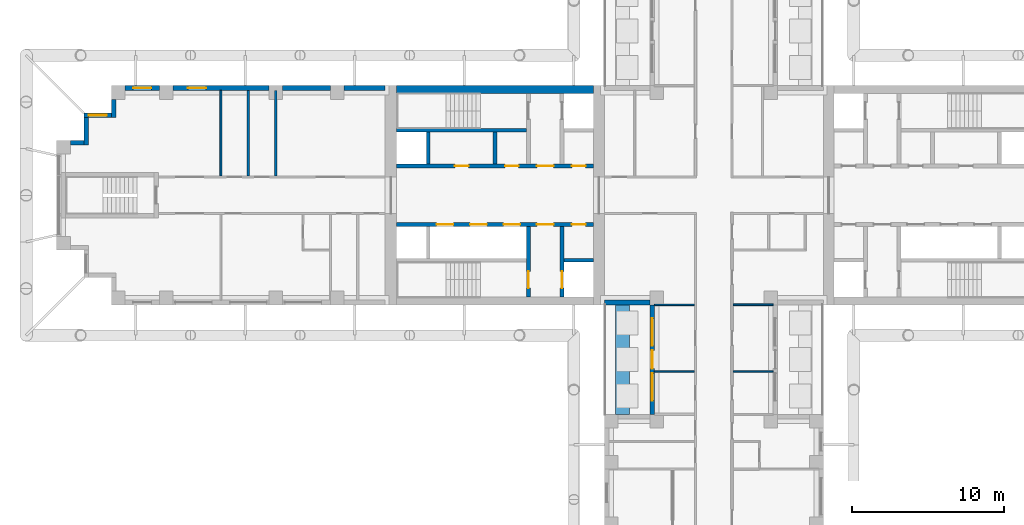
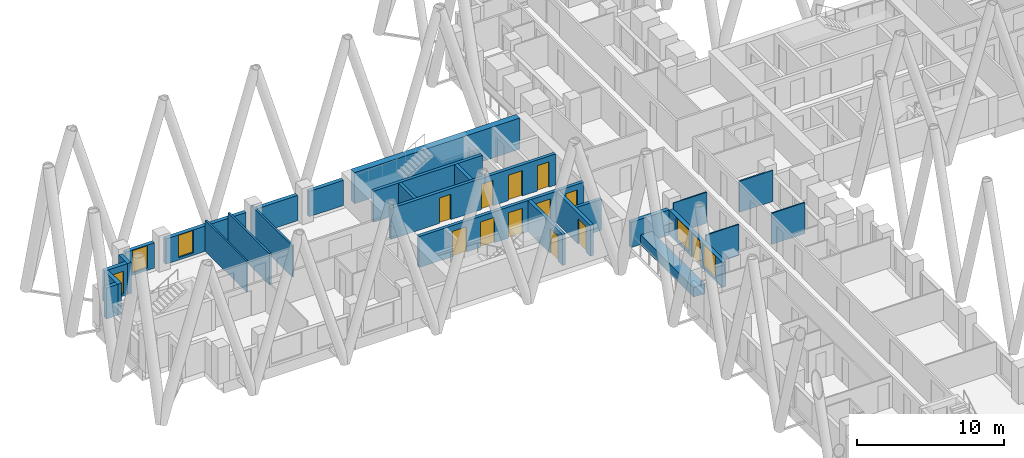
# One storey, part 6 of 14: 27 walls, 12 doors, 5 windows, 17 openings.
"""IFC4 building model written with IfcOpenShell, lengths in metres."""

import ifcopenshell
import ifcopenshell.guid

model = None  # the IFC model being written
_history = None  # IfcOwnerHistory: only IFC2X3 demands one
_inside = {}  # id of a spatial element -> (the spatial element, [elements in it])
_under = {}  # id of a project, library or spatial element -> (it, [spatial elements below it])
_declared = {}  # id of a project -> (the project, [libraries it declares])
_typed = {}  # id of a type object -> (the type object, [elements of that type])
_made_of = {}  # id of a material, layer set ... -> (it, [elements and type objects made of it])


def new_model(schema):
    """Start an empty IFC model of exactly this schema.

    Asked for "IFC4X3", IfcOpenShell would pick the latest addendum, in which some entities
    have other attributes; the version numbers below select the first issue.
    IFC2X3 requires an IfcOwnerHistory on every rooted entity: one is made here for all.
    """
    global model, _history
    if schema == "IFC4X3":
        model = ifcopenshell.file(schema_version=(4, 3, 0, 0))
    else:
        model = ifcopenshell.file(schema=schema)
    _inside.clear()
    _under.clear()
    _declared.clear()
    _typed.clear()
    _made_of.clear()
    _history = None
    if model.schema == "IFC2X3":
        org = make("IfcOrganization", Name="unknown")
        user = make(
            "IfcPersonAndOrganization",
            ThePerson=make("IfcPerson", FamilyName="unknown"),
            TheOrganization=org,
        )
        app = make(
            "IfcApplication",
            ApplicationDeveloper=org,
            Version="unknown",
            ApplicationFullName="unknown",
            ApplicationIdentifier="unknown",
        )
        _history = make(
            "IfcOwnerHistory",
            OwningUser=user,
            OwningApplication=app,
            ChangeAction="ADDED",
            CreationDate=0,
        )
    return model


def make(cls, **values):
    """One entity of the class cls with the attributes given. An attribute that is None is left unset."""
    return model.create_entity(
        cls, **{name: value for name, value in values.items() if value is not None}
    )


def rooted(cls, **values):
    """An entity with a GlobalId (a new one), such as an element, a storey or a relation."""
    return make(cls, GlobalId=ifcopenshell.guid.new(), OwnerHistory=_history, **values)


def si_unit(unit_type, name, prefix=None):
    """IfcSIUnit, for example si_unit("LENGTHUNIT", "METRE", prefix="MILLI")."""
    return make("IfcSIUnit", UnitType=unit_type, Prefix=prefix, Name=name)


def assignment(units):
    """IfcUnitAssignment: the units of a project."""
    return None if units is None else make("IfcUnitAssignment", Units=units)


def point(xyz):
    """IfcCartesianPoint."""
    return None if xyz is None else make("IfcCartesianPoint", Coordinates=xyz)


def direction(xyz):
    """IfcDirection."""
    return None if xyz is None else make("IfcDirection", DirectionRatios=xyz)


def frame(location, z_axis=None, x_axis=None):
    """IfcAxis2Placement3D, a coordinate frame: its origin and axes. An axis left out is left unset."""
    return make(
        "IfcAxis2Placement3D",
        Location=point(location),
        Axis=direction(z_axis),
        RefDirection=direction(x_axis),
    )


def frame_2d(location, x_axis=None):
    """IfcAxis2Placement2D, a coordinate frame in the plane: its origin and x axis."""
    return make(
        "IfcAxis2Placement2D", Location=point(location), RefDirection=direction(x_axis)
    )


def origin():
    """The frame at (0, 0, 0) with its axes left unset."""
    return frame((0.0, 0.0, 0.0))


def place(relative_to, where):
    """IfcLocalPlacement: puts the frame where relative to a parent placement (None: the world)."""
    return make(
        "IfcLocalPlacement", PlacementRelTo=relative_to, RelativePlacement=where
    )


def context(
    kind, dimensions, precision=None, world=None, true_north=None, identifier=None
):
    """IfcGeometricRepresentationContext, for example the 3D "Model" context."""
    return make(
        "IfcGeometricRepresentationContext",
        ContextIdentifier=identifier,
        ContextType=kind,
        CoordinateSpaceDimension=dimensions,
        Precision=precision,
        WorldCoordinateSystem=world,
        TrueNorth=true_north,
    )


def subcontext(parent, identifier, kind, view, scale=None):
    """IfcGeometricRepresentationSubContext, for example "Body" below "Model"."""
    return make(
        "IfcGeometricRepresentationSubContext",
        ContextIdentifier=identifier,
        ContextType=kind,
        ParentContext=parent,
        TargetScale=scale,
        TargetView=view,
    )


def project(units=None, contexts=None):
    """IfcProject with its units and contexts."""
    return rooted(
        "IfcProject",
        Name="project",
        RepresentationContexts=contexts,
        UnitsInContext=assignment(units),
    )


def spatial(cls, under=None, at=None, **own):
    """A site, building, storey or space (cls), placed at a placement, below another one or the project."""
    s = rooted(cls, ObjectPlacement=at, **own)
    if under is not None:
        _under.setdefault(under.id(), (under, []))[1].append(s)
    return s


def profile(cls, at=None, kind="AREA", **sizes):
    """A parametric profile (cls). Its sizes go by their IFC names, for example OverallWidth=200.0."""
    return make(cls, ProfileType=kind, Position=at, **sizes)


def rectangle(**sizes):
    """IfcRectangleProfileDef."""
    return profile("IfcRectangleProfileDef", **sizes)


def extrude(swept, where, along, depth):
    """IfcExtrudedAreaSolid: the profile swept, set in the frame where, extruded along a direction by depth."""
    return make(
        "IfcExtrudedAreaSolid",
        SweptArea=swept,
        Position=where,
        ExtrudedDirection=direction(along),
        Depth=depth,
    )


def shape(context_of_items, identifier, shape_type, items):
    """IfcShapeRepresentation: the items that make up one representation, for example the "Body"."""
    return make(
        "IfcShapeRepresentation",
        ContextOfItems=context_of_items,
        RepresentationIdentifier=identifier,
        RepresentationType=shape_type,
        Items=items,
    )


def material(Name=None, Category=None):
    """IfcMaterial."""
    return make("IfcMaterial", Name=Name, Category=Category)


def layer(
    of_material, thickness, ventilated=None, Name=None, Category=None, Priority=None
):
    """IfcMaterialLayer: one layer of a wall or slab, of a material (None: an air gap)."""
    return make(
        "IfcMaterialLayer",
        Material=of_material,
        LayerThickness=thickness,
        IsVentilated=ventilated,
        Name=Name,
        Category=Category,
        Priority=Priority,
    )


def layer_set(layers, Name=None):
    """IfcMaterialLayerSet."""
    return make("IfcMaterialLayerSet", MaterialLayers=layers, LayerSetName=Name)


def made_of(thing, what):
    """Note that an element or type object is made of a material, layer set ...; save() writes the relation."""
    if what is not None:
        _made_of.setdefault(what.id(), (what, []))[1].append(thing)
    return thing


def type_object(cls, material=None, **own):
    """A type object (cls), such as IfcWallType, which elements share."""
    return made_of(rooted(cls, **own), material)


def element(
    cls,
    number,
    at=None,
    inside=None,
    cuts=None,
    type_object=None,
    material=None,
    context=None,
    identifier="Body",
    shape_type=None,
    held_by="IfcProductDefinitionShape",
    body=None,
    shapes=None,
    **own,
):
    """One element of the class cls, such as IfcWall. Its Tag is "e" and its number.

    at: its placement. inside: the storey or other place that contains it. cuts: it is an
    opening in that element (IfcRelVoidsElement). A single representation is given by context,
    identifier, shape_type and body (its items); several are given by shapes. held_by: the class
    of the entity that holds the representations. save() writes the other relations.
    """
    e = rooted(cls, Tag="e%d" % number, ObjectPlacement=at, **own)
    if body is not None:
        shapes = [shape(context, identifier, shape_type, body)]
    if shapes is not None:
        e.Representation = make(held_by, Representations=shapes)
    if inside is not None:
        _inside.setdefault(inside.id(), (inside, []))[1].append(e)
    if cuts is not None:
        rooted(
            "IfcRelVoidsElement", RelatingBuildingElement=cuts, RelatedOpeningElement=e
        )
    if type_object is not None:
        _typed.setdefault(type_object.id(), (type_object, []))[1].append(e)
    return made_of(e, material)


def fill(opening, filler):
    """IfcRelFillsElement: the door or window that sits in an opening."""
    return rooted(
        "IfcRelFillsElement",
        RelatingOpeningElement=opening,
        RelatedBuildingElement=filler,
    )


def aggregate(whole, parts):
    """IfcRelAggregates: a whole, such as a stair, and the parts it consists of."""
    return rooted("IfcRelAggregates", RelatingObject=whole, RelatedObjects=parts)


def save(model, path):
    """Write the relations noted so far, then the file.

    IfcRelAggregates (storeys below a building ...), IfcRelContainedInSpatialStructure (elements
    in a storey), IfcRelDefinesByType, IfcRelAssociatesMaterial and IfcRelDeclares: one each for
    every whole, place, type object, material and project.
    """
    for whole, parts in _under.values():
        aggregate(whole, parts)
    for where, things in _inside.values():
        rooted(
            "IfcRelContainedInSpatialStructure",
            RelatedElements=things,
            RelatingStructure=where,
        )
    for kind, things in _typed.values():
        rooted("IfcRelDefinesByType", RelatedObjects=things, RelatingType=kind)
    for what, things in _made_of.values():
        rooted("IfcRelAssociatesMaterial", RelatedObjects=things, RelatingMaterial=what)
    for by, libraries in _declared.values():
        rooted("IfcRelDeclares", RelatingContext=by, RelatedDefinitions=libraries)
    model.write(path)


model = new_model("IFC4")

# Units and contexts
model_context = context("Model", 3, precision=1e-05, world=origin(), true_north=direction((0.0, 1.0)))
body_context = subcontext(model_context, "Body", "Model", "MODEL_VIEW")
ifc_project = project(units=[si_unit("LENGTHUNIT", "METRE"), si_unit("AREAUNIT", "SQUARE_METRE"), si_unit("VOLUMEUNIT", "CUBIC_METRE"), si_unit("PLANEANGLEUNIT", "RADIAN"), si_unit("MASSUNIT", "GRAM", prefix="KILO")], contexts=[model_context])

# Site, building, storey
site_placement = place(None, origin())
site = spatial("IfcSite", under=ifc_project, at=site_placement, CompositionType="ELEMENT")
building_placement = place(site_placement, origin())
building = spatial("IfcBuilding", under=site, at=building_placement, Name="Fustian Cross Tower", CompositionType="ELEMENT")
storey_placement = place(building_placement, frame((0.0, 0.0, 78.89990234375)))
storey = spatial("IfcBuildingStorey", under=building, at=storey_placement, Name="L24", CompositionType="ELEMENT", Elevation=78.89990234375)

# Walls
ifc_material_1 = material(Name="Plasterboard on steel stud", Category="steel")
ifc_layer_1 = layer(ifc_material_1, 0.14990234375)
ifc_layer_set_1 = layer_set([ifc_layer_1], Name="Plasterboard on steel stud")
wall_type_1 = type_object("IfcWallType", Name="COMPARTMENT WALL 150 EI 60", PredefinedType="PARTITIONING", material=ifc_layer_set_1)
for number, where, z_axis, x_axis, name in (
    (1, (-30.60009765625, 1.27490234375, 0.0), (0.0, 0.0, 1.0), (0.0, 1.0, 0.0), "Partition 5"),
    (2, (-28.800048828125, 1.27490234375, 0.0), (0.0, 0.0, 1.0), (0.0, 1.0, 0.0), "Partition 6"),
):
    element("IfcWall", number, at=place(storey_placement, frame(where, z_axis=z_axis, x_axis=x_axis)), inside=storey, type_object=wall_type_1, Name=name, PredefinedType="PARTITIONING", context=body_context, shape_type="SweptSolid", body=[
        extrude(rectangle(XDim=5.625, YDim=0.14990234375, at=frame_2d((2.8125, 0.0))), origin(), (0.0, 0.0, 1.0), 2.5751953125),
    ])
ifc_material_2 = material(Name="Concrete C70/85", Category="concrete")
ifc_layer_2 = layer(ifc_material_2, 0.5)
ifc_layer_set_2 = layer_set([ifc_layer_2], Name="Concrete C70/85")
wall_type_2 = type_object("IfcWallType", Name="CORE FACADE WALL 500 C70/85", PredefinedType="SHEAR", material=ifc_layer_set_2)
wall_1_placement = place(storey_placement, frame((-7.89990234375, 6.949951171875, 0.0), z_axis=(0.0, 0.0, 1.0), x_axis=(-1.0, 0.0, 0.0)))
element("IfcWall", 3, at=wall_1_placement, inside=storey, type_object=wall_type_2, Name="Core facade wall", PredefinedType="SHEAR", context=body_context, shape_type="SweptSolid", body=[
    extrude(rectangle(XDim=12.9501953125, YDim=0.5, at=frame_2d((6.47509765625, 0.0))), origin(), (0.0, 0.0, 1.0), 2.5751953125),
])

# Wall, openings, doors
ifc_material_3 = material(Name="Concrete C50/60", Category="concrete")
ifc_layer_3 = layer(ifc_material_3, 0.25)
ifc_layer_set_3 = layer_set([ifc_layer_3], Name="Concrete C50/60")
wall_type_3 = type_object("IfcWallType", Name="CORE LOBBY WALL 250 C50/60", PredefinedType="SHEAR", material=ifc_layer_set_3)
wall_2_placement = place(storey_placement, frame((-7.89990234375, 1.925048828125, 0.0), z_axis=(0.0, 0.0, 1.0), x_axis=(-1.0, 0.0, 0.0)))
wall_2 = element("IfcWall", 4, at=wall_2_placement, inside=storey, type_object=wall_type_3, Name="Core lobby wall", PredefinedType="SHEAR", context=body_context, shape_type="SweptSolid", body=[
    extrude(rectangle(XDim=12.9501953125, YDim=0.25, at=frame_2d((6.47509765625, 0.0))), origin(), (0.0, 0.0, 1.0), 2.5751953125),
])
opening_1_placement = place(wall_2_placement, frame((0.52490234375, 0.0, 0.0)))
opening_1 = element("IfcOpeningElement", 5, at=opening_1_placement, cuts=wall_2, Name="Opening CD-10-23", PredefinedType="OPENING", context=body_context, shape_type="SweptSolid", body=[
    extrude(rectangle(XDim=0.89990234375, YDim=2.10009765625, at=frame_2d((0.449951171875, 1.050048828125))), frame((0.0, 0.135009765625, 0.0), z_axis=(0.0, -1.0, 0.0), x_axis=(1.0, 0.0, 0.0)), (0.0, 0.0, 1.0), 0.27001953125),
])
opening_2_placement = place(wall_2_placement, frame((2.625, 0.0, 0.0)))
opening_2 = element("IfcOpeningElement", 6, at=opening_2_placement, cuts=wall_2, Name="Opening CD-10-25", PredefinedType="OPENING", context=body_context, shape_type="SweptSolid", body=[
    extrude(rectangle(XDim=1.10009765625, YDim=2.10009765625, at=frame_2d((0.550048828125, 1.050048828125))), frame((0.0, 0.135009765625, 0.0), z_axis=(0.0, -1.0, 0.0), x_axis=(1.0, 0.0, 0.0)), (0.0, 0.0, 1.0), 0.27001953125),
])
opening_3_placement = place(wall_2_placement, frame((4.925048828125, 0.0, 0.0)))
opening_3 = element("IfcOpeningElement", 7, at=opening_3_placement, cuts=wall_2, Name="Opening CD-10-29", PredefinedType="OPENING", context=body_context, shape_type="SweptSolid", body=[
    extrude(rectangle(XDim=0.89990234375, YDim=2.10009765625, at=frame_2d((0.449951171875, 1.050048828125))), frame((0.0, 0.135009765625, 0.0), z_axis=(0.0, -1.0, 0.0), x_axis=(1.0, 0.0, 0.0)), (0.0, 0.0, 1.0), 0.27001953125),
])
opening_4_placement = place(wall_2_placement, frame((8.22509765625, 0.0, 0.0)))
opening_4 = element("IfcOpeningElement", 8, at=opening_4_placement, cuts=wall_2, Name="Opening CD-10-30", PredefinedType="OPENING", context=body_context, shape_type="SweptSolid", body=[
    extrude(rectangle(XDim=0.89990234375, YDim=2.10009765625, at=frame_2d((0.449951171875, 1.050048828125))), frame((0.0, 0.135009765625, 0.0), z_axis=(0.0, -1.0, 0.0), x_axis=(1.0, 0.0, 0.0)), (0.0, 0.0, 1.0), 0.27001953125),
])
ifc_material_4 = material(Name="Steel", Category="steel")
door_type_1 = type_object("IfcDoorType", Name="FIRE DOOR FD30S 900X2100", OperationType="SINGLE_SWING_LEFT", PredefinedType="DOOR", material=ifc_material_4)
door_1_placement = place(opening_3_placement, frame((0.89990234375, 0.0, 0.0), z_axis=(0.0, 0.0, 1.0), x_axis=(-1.0, 0.0, 0.0)))
door_1 = element("IfcDoor", 9, at=door_1_placement, inside=storey, type_object=door_type_1, Name="Core door CD-10-29", OperationType="SINGLE_SWING_RIGHT", OverallHeight=2.10009765625, OverallWidth=0.89990234375, PredefinedType="DOOR", context=body_context, shape_type="SweptSolid", body=[
    extrude(rectangle(XDim=0.89990234375, YDim=2.10009765625, at=frame_2d((0.449951171875, 1.050048828125))), frame((0.0, 0.02490234375, 0.0), z_axis=(0.0, -1.0, 0.0), x_axis=(1.0, 0.0, 0.0)), (0.0, 0.0, 1.0), 0.050048828125),
])
fill(opening_3, door_1)
door_2_placement = place(opening_4_placement, frame((0.89990234375, 0.0, 0.0), z_axis=(0.0, 0.0, 1.0), x_axis=(-1.0, 0.0, 0.0)))
door_2 = element("IfcDoor", 10, at=door_2_placement, inside=storey, type_object=door_type_1, Name="Core door CD-10-30", OperationType="SINGLE_SWING_LEFT", OverallHeight=2.10009765625, OverallWidth=0.89990234375, PredefinedType="DOOR", context=body_context, shape_type="SweptSolid", body=[
    extrude(rectangle(XDim=0.89990234375, YDim=2.10009765625, at=frame_2d((0.449951171875, 1.050048828125))), frame((0.0, 0.02490234375, 0.0), z_axis=(0.0, -1.0, 0.0), x_axis=(1.0, 0.0, 0.0)), (0.0, 0.0, 1.0), 0.050048828125),
])
fill(opening_4, door_2)
ifc_material_5 = material(Name="Steel", Category="steel")
door_type_2 = type_object("IfcDoorType", Name="FIRE DOOR FD60S 1100X2100", OperationType="SINGLE_SWING_LEFT", PredefinedType="DOOR", material=ifc_material_5)
door_3_placement = place(opening_2_placement, frame((1.10009765625, 0.0, 0.0), z_axis=(0.0, 0.0, 1.0), x_axis=(-1.0, 0.0, 0.0)))
door_3 = element("IfcDoor", 11, at=door_3_placement, inside=storey, type_object=door_type_2, Name="Core door CD-10-25", OperationType="SINGLE_SWING_RIGHT", OverallHeight=2.10009765625, OverallWidth=1.10009765625, PredefinedType="DOOR", context=body_context, shape_type="SweptSolid", body=[
    extrude(rectangle(XDim=1.10009765625, YDim=2.10009765625, at=frame_2d((0.550048828125, 1.050048828125))), frame((0.0, 0.02490234375, 0.0), z_axis=(0.0, -1.0, 0.0), x_axis=(1.0, 0.0, 0.0)), (0.0, 0.0, 1.0), 0.050048828125),
])
fill(opening_2, door_3)
ifc_material_6 = material(Name="Steel", Category="steel")
door_type_3 = type_object("IfcDoorType", Name="FIRE DOOR FD60S 900X2100", OperationType="SINGLE_SWING_LEFT", PredefinedType="DOOR", material=ifc_material_6)
door_4_placement = place(opening_1_placement, frame((0.89990234375, 0.0, 0.0), z_axis=(0.0, 0.0, 1.0), x_axis=(-1.0, 0.0, 0.0)))
door_4 = element("IfcDoor", 12, at=door_4_placement, inside=storey, type_object=door_type_3, Name="Core door CD-10-23", OperationType="SINGLE_SWING_RIGHT", OverallHeight=2.10009765625, OverallWidth=0.89990234375, PredefinedType="DOOR", context=body_context, shape_type="SweptSolid", body=[
    extrude(rectangle(XDim=0.89990234375, YDim=2.10009765625, at=frame_2d((0.449951171875, 1.050048828125))), frame((0.0, 0.02490234375, 0.0), z_axis=(0.0, -1.0, 0.0), x_axis=(1.0, 0.0, 0.0)), (0.0, 0.0, 1.0), 0.050048828125),
])
fill(opening_1, door_4)

wall_3_placement = place(storey_placement, frame((-7.89990234375, -1.925048828125, 0.0), z_axis=(0.0, 0.0, 1.0), x_axis=(-1.0, 0.0, 0.0)))
wall_3 = element("IfcWall", 13, at=wall_3_placement, inside=storey, type_object=wall_type_3, Name="Core lobby wall", PredefinedType="SHEAR", context=body_context, shape_type="SweptSolid", body=[
    extrude(rectangle(XDim=12.9501953125, YDim=0.25, at=frame_2d((6.47509765625, 0.0))), origin(), (0.0, 0.0, 1.0), 2.5751953125),
])
opening_5_placement = place(wall_3_placement, frame((4.824951171875, 0.0, 0.0)))
opening_5 = element("IfcOpeningElement", 14, at=opening_5_placement, cuts=wall_3, Name="Opening LD", PredefinedType="OPENING", context=body_context, shape_type="SweptSolid", body=[
    extrude(rectangle(XDim=1.10009765625, YDim=2.10009765625, at=frame_2d((0.550048828125, 1.050048828125))), frame((0.0, 0.135009765625, 0.0), z_axis=(0.0, -1.0, 0.0), x_axis=(1.0, 0.0, 0.0)), (0.0, 0.0, 1.0), 0.27001953125),
])
opening_6_placement = place(wall_3_placement, frame((7.02490234375, 0.0, 0.0)))
opening_6 = element("IfcOpeningElement", 15, at=opening_6_placement, cuts=wall_3, Name="Opening LD", PredefinedType="OPENING", context=body_context, shape_type="SweptSolid", body=[
    extrude(rectangle(XDim=1.10009765625, YDim=2.10009765625, at=frame_2d((0.550048828125, 1.050048828125))), frame((0.0, 0.135009765625, 0.0), z_axis=(0.0, -1.0, 0.0), x_axis=(1.0, 0.0, 0.0)), (0.0, 0.0, 1.0), 0.27001953125),
])
opening_7_placement = place(wall_3_placement, frame((9.22509765625, 0.0, 0.0)))
opening_7 = element("IfcOpeningElement", 16, at=opening_7_placement, cuts=wall_3, Name="Opening LD", PredefinedType="OPENING", context=body_context, shape_type="SweptSolid", body=[
    extrude(rectangle(XDim=1.10009765625, YDim=2.10009765625, at=frame_2d((0.550048828125, 1.050048828125))), frame((0.0, 0.135009765625, 0.0), z_axis=(0.0, -1.0, 0.0), x_axis=(1.0, 0.0, 0.0)), (0.0, 0.0, 1.0), 0.27001953125),
])
opening_8_placement = place(wall_3_placement, frame((0.52490234375, 0.0, 0.0)))
opening_8 = element("IfcOpeningElement", 17, at=opening_8_placement, cuts=wall_3, Name="Opening CD-10-24", PredefinedType="OPENING", context=body_context, shape_type="SweptSolid", body=[
    extrude(rectangle(XDim=0.89990234375, YDim=2.10009765625, at=frame_2d((0.449951171875, 1.050048828125))), frame((0.0, 0.135009765625, 0.0), z_axis=(0.0, -1.0, 0.0), x_axis=(1.0, 0.0, 0.0)), (0.0, 0.0, 1.0), 0.27001953125),
])
opening_9_placement = place(wall_3_placement, frame((2.625, 0.0, 0.0)))
opening_9 = element("IfcOpeningElement", 18, at=opening_9_placement, cuts=wall_3, Name="Opening CD-10-26", PredefinedType="OPENING", context=body_context, shape_type="SweptSolid", body=[
    extrude(rectangle(XDim=1.10009765625, YDim=2.10009765625, at=frame_2d((0.550048828125, 1.050048828125))), frame((0.0, 0.135009765625, 0.0), z_axis=(0.0, -1.0, 0.0), x_axis=(1.0, 0.0, 0.0)), (0.0, 0.0, 1.0), 0.27001953125),
])
ifc_material_7 = material(Name="Steel", Category="steel")
door_type_4 = type_object("IfcDoorType", Name="FIRE DOOR FD30S 1100X2100", OperationType="SINGLE_SWING_LEFT", PredefinedType="DOOR", material=ifc_material_7)
door_5_placement = place(opening_9_placement, frame((1.10009765625, 0.0, 0.0), z_axis=(0.0, 0.0, 1.0), x_axis=(-1.0, 0.0, 0.0)))
door_5 = element("IfcDoor", 19, at=door_5_placement, inside=storey, type_object=door_type_4, Name="Core door CD-10-26", OperationType="SINGLE_SWING_RIGHT", OverallHeight=2.10009765625, OverallWidth=1.10009765625, PredefinedType="DOOR", context=body_context, shape_type="SweptSolid", body=[
    extrude(rectangle(XDim=1.10009765625, YDim=2.10009765625, at=frame_2d((0.550048828125, 1.050048828125))), frame((0.0, 0.02490234375, 0.0), z_axis=(0.0, -1.0, 0.0), x_axis=(1.0, 0.0, 0.0)), (0.0, 0.0, 1.0), 0.050048828125),
])
fill(opening_9, door_5)
door_6_placement = place(opening_8_placement, origin())
door_6 = element("IfcDoor", 20, at=door_6_placement, inside=storey, type_object=door_type_1, Name="Core door CD-10-24", OperationType="SINGLE_SWING_LEFT", OverallHeight=2.10009765625, OverallWidth=0.89990234375, PredefinedType="DOOR", context=body_context, shape_type="SweptSolid", body=[
    extrude(rectangle(XDim=0.89990234375, YDim=2.10009765625, at=frame_2d((0.449951171875, 1.050048828125))), frame((0.0, 0.02490234375, 0.0), z_axis=(0.0, -1.0, 0.0), x_axis=(1.0, 0.0, 0.0)), (0.0, 0.0, 1.0), 0.050048828125),
])
fill(opening_8, door_6)
ifc_material_8 = material(Name="Stainless steel", Category="steel")
door_type_5 = type_object("IfcDoorType", Name="LIFT LANDING DOOR 1100X2100", OperationType="SLIDING_TO_LEFT", PredefinedType="DOOR", material=ifc_material_8)
door_7_placement = place(opening_5_placement, origin())
door_7 = element("IfcDoor", 21, at=door_7_placement, inside=storey, type_object=door_type_5, Name="Landing door LR1W", OperationType="SLIDING_TO_LEFT", OverallHeight=2.10009765625, OverallWidth=1.10009765625, PredefinedType="DOOR", context=body_context, shape_type="SweptSolid", body=[
    extrude(rectangle(XDim=1.10009765625, YDim=2.10009765625, at=frame_2d((0.550048828125, 1.050048828125))), frame((0.0, 0.02490234375, 0.0), z_axis=(0.0, -1.0, 0.0), x_axis=(1.0, 0.0, 0.0)), (0.0, 0.0, 1.0), 0.050048828125),
])
fill(opening_5, door_7)
door_8_placement = place(opening_6_placement, origin())
door_8 = element("IfcDoor", 22, at=door_8_placement, inside=storey, type_object=door_type_5, Name="Landing door LR2W", OperationType="SLIDING_TO_LEFT", OverallHeight=2.10009765625, OverallWidth=1.10009765625, PredefinedType="DOOR", context=body_context, shape_type="SweptSolid", body=[
    extrude(rectangle(XDim=1.10009765625, YDim=2.10009765625, at=frame_2d((0.550048828125, 1.050048828125))), frame((0.0, 0.02490234375, 0.0), z_axis=(0.0, -1.0, 0.0), x_axis=(1.0, 0.0, 0.0)), (0.0, 0.0, 1.0), 0.050048828125),
])
fill(opening_6, door_8)
door_9_placement = place(opening_7_placement, origin())
door_9 = element("IfcDoor", 23, at=door_9_placement, inside=storey, type_object=door_type_5, Name="Landing door LR3W", OperationType="SLIDING_TO_LEFT", OverallHeight=2.10009765625, OverallWidth=1.10009765625, PredefinedType="DOOR", context=body_context, shape_type="SweptSolid", body=[
    extrude(rectangle(XDim=1.10009765625, YDim=2.10009765625, at=frame_2d((0.550048828125, 1.050048828125))), frame((0.0, 0.02490234375, 0.0), z_axis=(0.0, -1.0, 0.0), x_axis=(1.0, 0.0, 0.0)), (0.0, 0.0, 1.0), 0.050048828125),
])
fill(opening_7, door_9)

# Walls
ifc_material_9 = material(Name="Concrete C50/60", Category="concrete")
ifc_layer_4 = layer(ifc_material_9, 0.25)
ifc_layer_set_4 = layer_set([ifc_layer_4], Name="Concrete C50/60")
wall_type_4 = type_object("IfcWallType", Name="CORE SHAFT WALL 250 C50/60", PredefinedType="SHEAR", material=ifc_layer_set_4)
wall_4_placement = place(storey_placement, frame((-12.300048828125, 4.27490234375, 0.0), z_axis=(0.0, 0.0, 1.0), x_axis=(-1.0, 0.0, 0.0)))
element("IfcWall", 24, at=wall_4_placement, inside=storey, type_object=wall_type_4, Name="Core shaft wall", PredefinedType="SHEAR", context=body_context, shape_type="SweptSolid", body=[
    extrude(rectangle(XDim=8.550048828125, YDim=0.25, at=frame_2d((4.27490234375, 0.0))), origin(), (0.0, 0.0, 1.0), 2.5751953125),
])
wall_5_placement = place(storey_placement, frame((-7.89990234375, -4.27490234375, 0.0), z_axis=(0.0, 0.0, 1.0), x_axis=(-1.0, 0.0, 0.0)))
element("IfcWall", 25, at=wall_5_placement, inside=storey, type_object=wall_type_4, Name="Core shaft wall", PredefinedType="SHEAR", context=body_context, shape_type="SweptSolid", body=[
    extrude(rectangle(XDim=1.9501953125, YDim=0.25, at=frame_2d((0.97509765625, 0.0))), origin(), (0.0, 0.0, 1.0), 2.5751953125),
])

# Wall, opening, door
wall_6_placement = place(storey_placement, frame((-9.97509765625, -2.050048828125, 0.0), z_axis=(0.0, 0.0, 1.0), x_axis=(0.0, -1.0, 0.0)))
wall_6 = element("IfcWall", 26, at=wall_6_placement, inside=storey, type_object=wall_type_4, Name="Core shaft wall", PredefinedType="SHEAR", context=body_context, shape_type="SweptSolid", body=[
    extrude(rectangle(XDim=4.64990234375, YDim=0.25, at=frame_2d((2.324951171875, 0.0))), origin(), (0.0, 0.0, 1.0), 2.5751953125),
])
opening_10_placement = place(wall_6_placement, frame((2.949951171875, 0.0, 0.0)))
opening_10 = element("IfcOpeningElement", 27, at=opening_10_placement, cuts=wall_6, Name="Opening LD", PredefinedType="OPENING", context=body_context, shape_type="SweptSolid", body=[
    extrude(rectangle(XDim=1.10009765625, YDim=2.10009765625, at=frame_2d((0.550048828125, 1.050048828125))), frame((0.0, 0.135009765625, 0.0), z_axis=(0.0, -1.0, 0.0), x_axis=(1.0, 0.0, 0.0)), (0.0, 0.0, 1.0), 0.27001953125),
])
door_10_placement = place(opening_10_placement, origin())
door_10 = element("IfcDoor", 28, at=door_10_placement, inside=storey, type_object=door_type_5, Name="Landing door SV1W", OperationType="SLIDING_TO_LEFT", OverallHeight=2.10009765625, OverallWidth=1.10009765625, PredefinedType="DOOR", context=body_context, shape_type="SweptSolid", body=[
    extrude(rectangle(XDim=1.10009765625, YDim=2.10009765625, at=frame_2d((0.550048828125, 1.050048828125))), frame((0.0, 0.02490234375, 0.0), z_axis=(0.0, -1.0, 0.0), x_axis=(1.0, 0.0, 0.0)), (0.0, 0.0, 1.0), 0.050048828125),
])
fill(opening_10, door_10)

wall_7_placement = place(storey_placement, frame((-12.175048828125, -2.050048828125, 0.0), z_axis=(0.0, 0.0, 1.0), x_axis=(0.0, -1.0, 0.0)))
wall_7 = element("IfcWall", 29, at=wall_7_placement, inside=storey, type_object=wall_type_4, Name="Core shaft wall", PredefinedType="SHEAR", context=body_context, shape_type="SweptSolid", body=[
    extrude(rectangle(XDim=4.64990234375, YDim=0.25, at=frame_2d((2.324951171875, 0.0))), origin(), (0.0, 0.0, 1.0), 2.5751953125),
])
opening_11_placement = place(wall_7_placement, frame((2.949951171875, 0.0, 0.0)))
opening_11 = element("IfcOpeningElement", 30, at=opening_11_placement, cuts=wall_7, Name="Opening CD-10-22", PredefinedType="OPENING", context=body_context, shape_type="SweptSolid", body=[
    extrude(rectangle(XDim=1.10009765625, YDim=2.10009765625, at=frame_2d((0.550048828125, 1.050048828125))), frame((0.0, 0.135009765625, 0.0), z_axis=(0.0, -1.0, 0.0), x_axis=(1.0, 0.0, 0.0)), (0.0, 0.0, 1.0), 0.27001953125),
])
door_11_placement = place(opening_11_placement, frame((1.10009765625, 0.0, 0.0), z_axis=(0.0, 0.0, 1.0), x_axis=(-1.0, 0.0, 0.0)))
door_11 = element("IfcDoor", 31, at=door_11_placement, inside=storey, type_object=door_type_2, Name="Core door CD-10-22", OperationType="SINGLE_SWING_RIGHT", OverallHeight=2.10009765625, OverallWidth=1.10009765625, PredefinedType="DOOR", context=body_context, shape_type="SweptSolid", body=[
    extrude(rectangle(XDim=1.10009765625, YDim=2.10009765625, at=frame_2d((0.550048828125, 1.050048828125))), frame((0.0, 0.02490234375, 0.0), z_axis=(0.0, -1.0, 0.0), x_axis=(1.0, 0.0, 0.0)), (0.0, 0.0, 1.0), 0.050048828125),
])
fill(opening_11, door_11)

# Walls
ifc_material_10 = material(Name="Plasterboard on steel stud", Category="steel")
ifc_layer_5 = layer(ifc_material_10, 0.10009765625)
ifc_layer_set_5 = layer_set([ifc_layer_5], Name="Plasterboard on steel stud")
wall_type_5 = type_object("IfcWallType", Name="PARTITION 100 STUD", PredefinedType="PARTITIONING", material=ifc_layer_set_5)
for number, where, z_axis, x_axis, name in (
    (32, (-3.89990234375, -11.60009765625, 0.0), (0.0, 0.0, 1.0), (1.0, 0.0, 0.0), "Partition 26"),
    (33, (-3.89990234375, -7.199951171875, 0.0), (0.0, 0.0, 1.0), (1.0, 0.0, 0.0), "Partition 27"),
    (34, (1.27490234375, -11.60009765625, 0.0), (0.0, 0.0, 1.0), (1.0, 0.0, 0.0), "Partition 42"),
):
    element("IfcWall", number, at=place(storey_placement, frame(where, z_axis=z_axis, x_axis=x_axis)), inside=storey, type_object=wall_type_5, Name=name, PredefinedType="PARTITIONING", context=body_context, shape_type="SweptSolid", body=[
        extrude(rectangle(XDim=2.625, YDim=0.10009765625, at=frame_2d((1.3125, 0.0))), origin(), (0.0, 0.0, 1.0), 2.5751953125),
    ])
ifc_material_11 = material(Name="Concrete C40/50", Category="concrete")
ifc_layer_6 = layer(ifc_material_11, 0.89990234375)
ifc_layer_set_6 = layer_set([ifc_layer_6], Name="Concrete C40/50")
wall_type_6 = type_object("IfcWallType", Name="PK1 PLANTER 900", PredefinedType="PARAPET", material=ifc_layer_set_6)
wall_8_placement = place(storey_placement, frame((-6.0, -14.39990234375, 0.0), z_axis=(0.0, 0.0, 1.0), x_axis=(0.0, 1.0, 0.0)))
element("IfcWall", 35, at=wall_8_placement, inside=storey, type_object=wall_type_6, Name="PLANTER", PredefinedType="PARAPET", context=body_context, shape_type="SweptSolid", body=[
    extrude(rectangle(XDim=7.199951171875, YDim=0.89990234375, at=frame_2d((3.60009765625, 0.0))), origin(), (0.0, 0.0, 1.0), 0.800048828125),
])
ifc_material_12 = material(Name="Concrete C40/50", Category="concrete")
ifc_layer_7 = layer(ifc_material_12, 0.25)
ifc_layer_set_7 = layer_set([ifc_layer_7], Name="Concrete C40/50")
wall_type_7 = type_object("IfcWallType", Name="SHAFT PARTITION WALL 250 C40/50", PredefinedType="PARTITIONING", material=ifc_layer_set_7)
for number, where, z_axis, x_axis, name in (
    (36, (-14.375, 2.050048828125, 0.0), (0.0, 0.0, 1.0), (0.0, 1.0, 0.0), "Core shaft wall"),
    (37, (-18.77490234375, 2.050048828125, 0.0), (0.0, 0.0, 1.0), (0.0, 1.0, 0.0), "Core shaft wall"),
):
    element("IfcWall", number, at=place(storey_placement, frame(where, z_axis=z_axis, x_axis=x_axis)), inside=storey, type_object=wall_type_7, Name=name, PredefinedType="PARTITIONING", context=body_context, shape_type="SweptSolid", body=[
        extrude(rectangle(XDim=2.099853515625, YDim=0.25, at=frame_2d((1.0498046875, 0.0))), origin(), (0.0, 0.0, 1.0), 2.5751953125),
    ])
ifc_material_13 = material(Name="Plasterboard on steel stud", Category="steel")
ifc_layer_8 = layer(ifc_material_13, 0.125)
ifc_layer_set_8 = layer_set([ifc_layer_8], Name="Plasterboard on steel stud")
wall_type_8 = type_object("IfcWallType", Name="WET WALL 125 STUD", PredefinedType="PARTITIONING", material=ifc_layer_set_8)
wall_9_placement = place(storey_placement, frame((-32.39990234375, 1.27490234375, 0.0), z_axis=(0.0, 0.0, 1.0), x_axis=(0.0, 1.0, 0.0)))
element("IfcWall", 38, at=wall_9_placement, inside=storey, type_object=wall_type_8, Name="Partition 4", PredefinedType="PARTITIONING", context=body_context, shape_type="SweptSolid", body=[
    extrude(rectangle(XDim=5.625, YDim=0.125, at=frame_2d((2.8125, 0.0))), origin(), (0.0, 0.0, 1.0), 2.5751953125),
])
wall_10_placement = place(storey_placement, frame((1.27490234375, -7.199951171875, 0.0), z_axis=(0.0, 0.0, 1.0), x_axis=(1.0, 0.0, 0.0)))
element("IfcWall", 39, at=wall_10_placement, inside=storey, type_object=wall_type_8, Name="Partition 43", PredefinedType="PARTITIONING", context=body_context, shape_type="SweptSolid", body=[
    extrude(rectangle(XDim=2.625, YDim=0.125, at=frame_2d((1.3125, 0.0))), origin(), (0.0, 0.0, 1.0), 2.5751953125),
])
ifc_material_14 = material(Name="Dark aluminium cladding on insulated backing wall", Category="aluminium")
ifc_layer_9 = layer(ifc_material_14, 0.300048828125)
ifc_layer_set_9 = layer_set([ifc_layer_9], Name="Dark aluminium cladding on insulated backing wall")
wall_type_9 = type_object("IfcWallType", Name="XW1 EXTERNAL WALL 300", PredefinedType="SOLIDWALL", material=ifc_layer_set_9)
wall_11_placement = place(storey_placement, frame((-21.60009765625, 7.050048828125, 0.0), z_axis=(0.0, 0.0, 1.0), x_axis=(-1.0, 0.0, 0.0)))
element("IfcWall", 40, at=wall_11_placement, inside=storey, type_object=wall_type_9, Name="External wall", PredefinedType="SOLIDWALL", context=body_context, shape_type="SweptSolid", body=[
    extrude(rectangle(XDim=2.699951171875, YDim=0.300048828125, at=frame_2d((1.35009765625, 0.0))), origin(), (0.0, 0.0, 1.0), 2.10009765625),
])
wall_12_placement = place(storey_placement, frame((-25.199951171875, 7.050048828125, 0.0), z_axis=(0.0, 0.0, 1.0), x_axis=(-1.0, 0.0, 0.0)))
element("IfcWall", 41, at=wall_12_placement, inside=storey, type_object=wall_type_9, Name="External wall", PredefinedType="SOLIDWALL", context=body_context, shape_type="SweptSolid", body=[
    extrude(rectangle(XDim=3.150146484375, YDim=0.300048828125, at=frame_2d((1.5751953125, 0.0))), origin(), (0.0, 0.0, 1.0), 2.10009765625),
])

# Wall, opening, window
wall_13_placement = place(storey_placement, frame((-29.25, 7.050048828125, 0.0), z_axis=(0.0, 0.0, 1.0), x_axis=(-1.0, 0.0, 0.0)))
wall_13 = element("IfcWall", 42, at=wall_13_placement, inside=storey, type_object=wall_type_9, Name="External wall", PredefinedType="SOLIDWALL", context=body_context, shape_type="SweptSolid", body=[
    extrude(rectangle(XDim=6.300048828125, YDim=0.300048828125, at=frame_2d((3.14990234375, 0.0))), origin(), (0.0, 0.0, 1.0), 2.10009765625),
])
opening_12_placement = place(wall_13_placement, frame((4.125, 0.0, 0.199951171875)))
opening_12 = element("IfcOpeningElement", 43, at=opening_12_placement, cuts=wall_13, Name="Opening WN3", PredefinedType="OPENING", context=body_context, shape_type="SweptSolid", body=[
    extrude(rectangle(XDim=1.199951171875, YDim=1.85009765625, at=frame_2d((0.60009765625, 0.925048828125))), frame((0.0, 0.159912109375, 0.0), z_axis=(0.0, -1.0, 0.0), x_axis=(1.0, 0.0, 0.0)), (0.0, 0.0, 1.0), 0.320068359375),
])
ifc_material_15 = material(Name="Dark anodised aluminium and double glazing", Category="aluminium")
window_type_1 = type_object("IfcWindowType", Name="WN3 WINDOW 1200X1850", PartitioningType="SINGLE_PANEL", PredefinedType="WINDOW", material=ifc_material_15)
window_1_placement = place(opening_12_placement, origin())
window_1 = element("IfcWindow", 44, at=window_1_placement, inside=storey, type_object=window_type_1, Name="Window", OverallHeight=1.85009765625, OverallWidth=1.199951171875, PartitioningType="SINGLE_PANEL", PredefinedType="WINDOW", context=body_context, shape_type="SweptSolid", body=[
    extrude(rectangle(XDim=1.199951171875, YDim=1.85009765625, at=frame_2d((0.60009765625, 0.925048828125))), frame((0.0, 0.030029296875, 0.0), z_axis=(0.0, -1.0, 0.0), x_axis=(1.0, 0.0, 0.0)), (0.0, 0.0, 1.0), 0.06005859375),
])
fill(opening_12, window_1)

wall_14_placement = place(storey_placement, frame((-36.449951171875, 7.050048828125, 0.0), z_axis=(0.0, 0.0, 1.0), x_axis=(-1.0, 0.0, 0.0)))
wall_14 = element("IfcWall", 45, at=wall_14_placement, inside=storey, type_object=wall_type_9, Name="External wall", PredefinedType="SOLIDWALL", context=body_context, shape_type="SweptSolid", body=[
    extrude(rectangle(XDim=2.25, YDim=0.300048828125, at=frame_2d((1.125, 0.0))), origin(), (0.0, 0.0, 1.0), 2.10009765625),
])
opening_13_placement = place(wall_14_placement, frame((0.52490234375, 0.0, 0.199951171875)))
opening_13 = element("IfcOpeningElement", 46, at=opening_13_placement, cuts=wall_14, Name="Opening WN3", PredefinedType="OPENING", context=body_context, shape_type="SweptSolid", body=[
    extrude(rectangle(XDim=1.199951171875, YDim=1.85009765625, at=frame_2d((0.60009765625, 0.925048828125))), frame((0.0, 0.159912109375, 0.0), z_axis=(0.0, -1.0, 0.0), x_axis=(1.0, 0.0, 0.0)), (0.0, 0.0, 1.0), 0.320068359375),
])
window_2_placement = place(opening_13_placement, origin())
window_2 = element("IfcWindow", 47, at=window_2_placement, inside=storey, type_object=window_type_1, Name="Window", OverallHeight=1.85009765625, OverallWidth=1.199951171875, PartitioningType="SINGLE_PANEL", PredefinedType="WINDOW", context=body_context, shape_type="SweptSolid", body=[
    extrude(rectangle(XDim=1.199951171875, YDim=1.85009765625, at=frame_2d((0.60009765625, 0.925048828125))), frame((0.0, 0.030029296875, 0.0), z_axis=(0.0, -1.0, 0.0), x_axis=(1.0, 0.0, 0.0)), (0.0, 0.0, 1.0), 0.06005859375),
])
fill(opening_13, window_2)

# Wall
wall_15_placement = place(storey_placement, frame((-39.449951171875, 6.300048828125, 0.0), z_axis=(0.0, 0.0, 1.0), x_axis=(0.0, -1.0, 0.0)))
element("IfcWall", 48, at=wall_15_placement, inside=storey, type_object=wall_type_9, Name="External wall", PredefinedType="SOLIDWALL", context=body_context, shape_type="SweptSolid", body=[
    extrude(rectangle(XDim=1.199951171875, YDim=0.300048828125, at=frame_2d((0.60009765625, 0.0))), origin(), (0.0, 0.0, 1.0), 2.5751953125),
])

# Wall, opening, window
wall_16_placement = place(storey_placement, frame((-39.60009765625, 5.25, 0.0), z_axis=(0.0, 0.0, 1.0), x_axis=(-1.0, 0.0, 0.0)))
wall_16 = element("IfcWall", 49, at=wall_16_placement, inside=storey, type_object=wall_type_9, Name="External wall", PredefinedType="SOLIDWALL", context=body_context, shape_type="SweptSolid", body=[
    extrude(rectangle(XDim=1.7998046875, YDim=0.300048828125, at=frame_2d((0.89990234375, 0.0))), origin(), (0.0, 0.0, 1.0), 2.5751953125),
])
opening_14_placement = place(wall_16_placement, frame((0.300048828125, 0.0, 0.199951171875)))
opening_14 = element("IfcOpeningElement", 50, at=opening_14_placement, cuts=wall_16, Name="Opening WN3", PredefinedType="OPENING", context=body_context, shape_type="SweptSolid", body=[
    extrude(rectangle(XDim=1.199951171875, YDim=1.85009765625, at=frame_2d((0.60009765625, 0.925048828125))), frame((0.0, 0.159912109375, 0.0), z_axis=(0.0, -1.0, 0.0), x_axis=(1.0, 0.0, 0.0)), (0.0, 0.0, 1.0), 0.320068359375),
])
window_3_placement = place(opening_14_placement, origin())
window_3 = element("IfcWindow", 51, at=window_3_placement, inside=storey, type_object=window_type_1, Name="Window", OverallHeight=1.85009765625, OverallWidth=1.199951171875, PartitioningType="SINGLE_PANEL", PredefinedType="WINDOW", context=body_context, shape_type="SweptSolid", body=[
    extrude(rectangle(XDim=1.199951171875, YDim=1.85009765625, at=frame_2d((0.60009765625, 0.925048828125))), frame((0.0, 0.030029296875, 0.0), z_axis=(0.0, -1.0, 0.0), x_axis=(1.0, 0.0, 0.0)), (0.0, 0.0, 1.0), 0.06005859375),
])
fill(opening_14, window_3)

# Walls
wall_17_placement = place(storey_placement, frame((-41.25, 5.10009765625, 0.0), z_axis=(0.0, 0.0, 1.0), x_axis=(0.0, -1.0, 0.0)))
element("IfcWall", 52, at=wall_17_placement, inside=storey, type_object=wall_type_9, Name="External wall", PredefinedType="SOLIDWALL", context=body_context, shape_type="SweptSolid", body=[
    extrude(rectangle(XDim=1.800048828125, YDim=0.300048828125, at=frame_2d((0.89990234375, 0.0))), origin(), (0.0, 0.0, 1.0), 2.5751953125),
])
wall_18_placement = place(storey_placement, frame((-41.39990234375, 3.449951171875, 0.0), z_axis=(0.0, 0.0, 1.0), x_axis=(-1.0, 0.0, 0.0)))
element("IfcWall", 53, at=wall_18_placement, inside=storey, type_object=wall_type_9, Name="External wall", PredefinedType="SOLIDWALL", context=body_context, shape_type="SweptSolid", body=[
    extrude(rectangle(XDim=0.900146484375, YDim=0.300048828125, at=frame_2d((0.4501953125, 0.0))), origin(), (0.0, 0.0, 1.0), 2.5751953125),
])
wall_19_placement = place(storey_placement, frame((-7.199951171875, -7.050048828125, 0.0), z_axis=(0.0, 0.0, 1.0), x_axis=(1.0, 0.0, 0.0)))
element("IfcWall", 54, at=wall_19_placement, inside=storey, type_object=wall_type_9, Name="External wall", PredefinedType="SOLIDWALL", context=body_context, shape_type="SweptSolid", body=[
    extrude(rectangle(XDim=3.0, YDim=0.300048828125, at=frame_2d((1.5, 0.0))), origin(), (0.0, 0.0, 1.0), 2.10009765625),
])

# Wall, openings, door, windows
wall_20_placement = place(storey_placement, frame((-4.050048828125, -7.199951171875, 0.0), z_axis=(0.0, 0.0, 1.0), x_axis=(0.0, -1.0, 0.0)))
wall_20 = element("IfcWall", 55, at=wall_20_placement, inside=storey, type_object=wall_type_9, Name="External wall", PredefinedType="SOLIDWALL", context=body_context, shape_type="SweptSolid", body=[
    extrude(rectangle(XDim=7.199951171875, YDim=0.300048828125, at=frame_2d((3.60009765625, 0.0))), origin(), (0.0, 0.0, 1.0), 2.10009765625),
])
opening_15_placement = place(wall_20_placement, frame((3.0, 0.0, 0.0)))
opening_15 = element("IfcOpeningElement", 56, at=opening_15_placement, cuts=wall_20, Name="Opening XD4", PredefinedType="OPENING", context=body_context, shape_type="SweptSolid", body=[
    extrude(rectangle(XDim=1.199951171875, YDim=2.050048828125, at=frame_2d((0.60009765625, 1.02490234375))), frame((0.0, 0.159912109375, 0.0), z_axis=(0.0, -1.0, 0.0), x_axis=(1.0, 0.0, 0.0)), (0.0, 0.0, 1.0), 0.320068359375),
])
opening_16_placement = place(wall_20_placement, frame((0.89990234375, 0.0, 0.199951171875)))
opening_16 = element("IfcOpeningElement", 57, at=opening_16_placement, cuts=wall_20, Name="Opening WN2", PredefinedType="OPENING", context=body_context, shape_type="SweptSolid", body=[
    extrude(rectangle(XDim=1.800048828125, YDim=1.85009765625, at=frame_2d((0.89990234375, 0.925048828125))), frame((0.0, 0.159912109375, 0.0), z_axis=(0.0, -1.0, 0.0), x_axis=(1.0, 0.0, 0.0)), (0.0, 0.0, 1.0), 0.320068359375),
])
opening_17_placement = place(wall_20_placement, frame((4.5, 0.0, 0.199951171875)))
opening_17 = element("IfcOpeningElement", 58, at=opening_17_placement, cuts=wall_20, Name="Opening WN2", PredefinedType="OPENING", context=body_context, shape_type="SweptSolid", body=[
    extrude(rectangle(XDim=1.800048828125, YDim=1.85009765625, at=frame_2d((0.89990234375, 0.925048828125))), frame((0.0, 0.159912109375, 0.0), z_axis=(0.0, -1.0, 0.0), x_axis=(1.0, 0.0, 0.0)), (0.0, 0.0, 1.0), 0.320068359375),
])
ifc_material_16 = material(Name="Dark anodised aluminium and double glazing", Category="aluminium")
door_type_6 = type_object("IfcDoorType", Name="ED1 BALCONY DOOR 1200X2050", OperationType="SINGLE_SWING_LEFT", PredefinedType="DOOR", material=ifc_material_16)
door_12_placement = place(opening_15_placement, origin())
door_12 = element("IfcDoor", 59, at=door_12_placement, inside=storey, type_object=door_type_6, Name="Balcony door", OperationType="SINGLE_SWING_LEFT", OverallHeight=2.050048828125, OverallWidth=1.199951171875, PredefinedType="DOOR", context=body_context, shape_type="SweptSolid", body=[
    extrude(rectangle(XDim=1.199951171875, YDim=2.050048828125, at=frame_2d((0.60009765625, 1.02490234375))), frame((0.0, 0.02490234375, 0.0), z_axis=(0.0, -1.0, 0.0), x_axis=(1.0, 0.0, 0.0)), (0.0, 0.0, 1.0), 0.050048828125),
])
fill(opening_15, door_12)
ifc_material_17 = material(Name="Dark anodised aluminium and double glazing", Category="aluminium")
window_type_2 = type_object("IfcWindowType", Name="WN2 WINDOW 1800X1850", PartitioningType="SINGLE_PANEL", PredefinedType="WINDOW", material=ifc_material_17)
window_4_placement = place(opening_16_placement, origin())
window_4 = element("IfcWindow", 60, at=window_4_placement, inside=storey, type_object=window_type_2, Name="Window", OverallHeight=1.85009765625, OverallWidth=1.800048828125, PartitioningType="SINGLE_PANEL", PredefinedType="WINDOW", context=body_context, shape_type="SweptSolid", body=[
    extrude(rectangle(XDim=1.800048828125, YDim=1.85009765625, at=frame_2d((0.89990234375, 0.925048828125))), frame((0.0, 0.030029296875, 0.0), z_axis=(0.0, -1.0, 0.0), x_axis=(1.0, 0.0, 0.0)), (0.0, 0.0, 1.0), 0.06005859375),
])
fill(opening_16, window_4)
window_5_placement = place(opening_17_placement, origin())
window_5 = element("IfcWindow", 61, at=window_5_placement, inside=storey, type_object=window_type_2, Name="Window", OverallHeight=1.85009765625, OverallWidth=1.800048828125, PartitioningType="SINGLE_PANEL", PredefinedType="WINDOW", context=body_context, shape_type="SweptSolid", body=[
    extrude(rectangle(XDim=1.800048828125, YDim=1.85009765625, at=frame_2d((0.89990234375, 0.925048828125))), frame((0.0, 0.030029296875, 0.0), z_axis=(0.0, -1.0, 0.0), x_axis=(1.0, 0.0, 0.0)), (0.0, 0.0, 1.0), 0.06005859375),
])
fill(opening_17, window_5)

save(model, "model.ifc")
